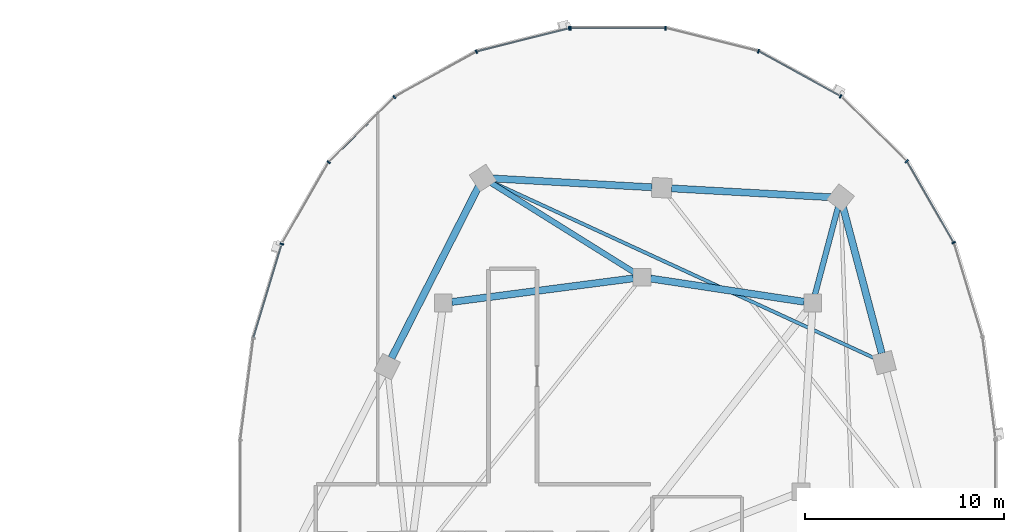
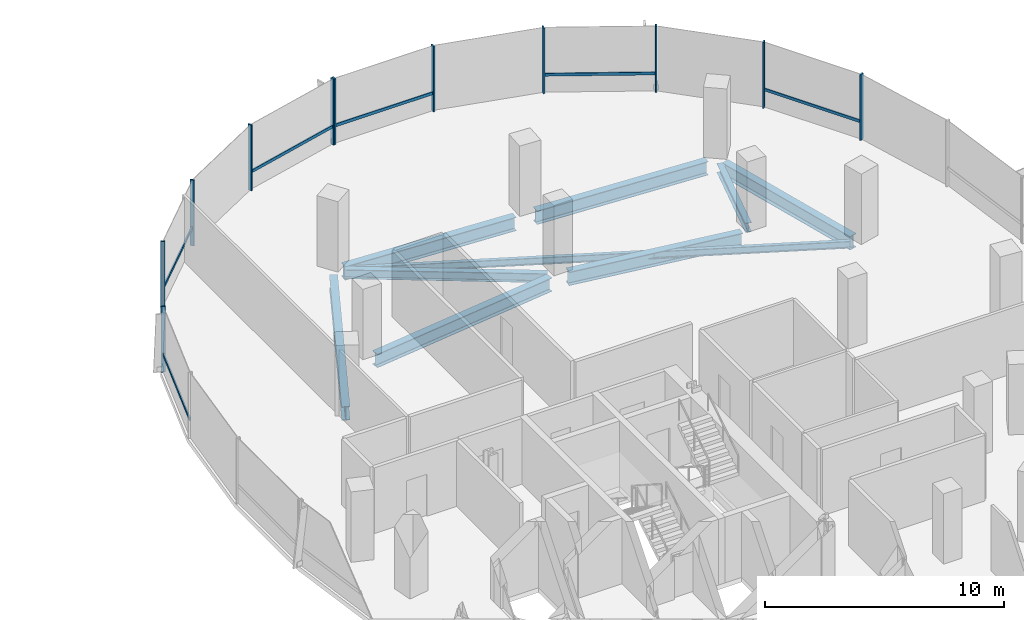
# One storey, part 9 of 22: 17 members, 9 beams, 2 elements without a shape of their own.
"""IFC4 building model written with IfcOpenShell, lengths in metres."""

from ifc_helpers import new_model, si_unit, direction, frame, origin, origin_2d, place, context, subcontext, project, spatial, rectangle, i_section, extrude, material, material_profile, profile_set, type_object, element, aggregate, save


model = new_model("IFC4")

# Units and contexts
model_context = context("Model", 3, precision=1e-05, world=origin(), true_north=direction((0.0, 1.0)))
body_context = subcontext(model_context, "Body", "Model", "MODEL_VIEW")
ifc_project = project(units=[si_unit("LENGTHUNIT", "METRE"), si_unit("AREAUNIT", "SQUARE_METRE"), si_unit("VOLUMEUNIT", "CUBIC_METRE"), si_unit("PLANEANGLEUNIT", "RADIAN"), si_unit("MASSUNIT", "GRAM", prefix="KILO"), si_unit("THERMODYNAMICTEMPERATUREUNIT", "KELVIN"), si_unit("POWERUNIT", "WATT")], contexts=[model_context])

# Site, building, storey
site_placement = place(None, origin())
site = spatial("IfcSite", under=ifc_project, at=site_placement, CompositionType="ELEMENT")
building_placement = place(site_placement, origin())
building = spatial("IfcBuilding", under=site, at=building_placement, Name="Cundina Bronze Exchange", CompositionType="ELEMENT")
storey_placement = place(building_placement, frame((0.0, 0.0, 144.0)))
storey = spatial("IfcBuildingStorey", under=building, at=storey_placement, Name="L37", CompositionType="ELEMENT", Elevation=144.0)

# Beams
ifc_material_1 = material(Name="Steel ASTM A992 Grade 50", Category="steel")
ifc_material_profile_1 = material_profile(ifc_material_1, i_section(OverallWidth=0.280029296875, OverallDepth=0.462890625, WebThickness=0.0107421875, FlangeThickness=0.017333984375, FilletRadius=0.011962890625, at=origin_2d()), Name="W18X76", Category="steel")
ifc_profile_set_1 = profile_set([ifc_material_profile_1], Name="Steel ASTM A992 Grade 50")
beam_type_1 = type_object("IfcBeamType", Name="BM-FLR-W18A", PredefinedType="BEAM", material=ifc_profile_set_1)
beam_1_placement = place(storey_placement, frame((41.911865234375, 9.923583984375, -0.471435546875), z_axis=(0.255413807463, 0.966831829719, 0.0), x_axis=(-0.966831829719, 0.255413807463, 0.0)))
element("IfcBeam", 1, at=beam_1_placement, inside=storey, type_object=beam_type_1, Name="L37 Leg E Chordal Floor Beam 10", PredefinedType="BEAM", context=body_context, shape_type="SweptSolid", body=[
    extrude(i_section(OverallWidth=0.280029296875, OverallDepth=0.462890625, WebThickness=0.0107421875, FlangeThickness=0.017333984375, FilletRadius=0.011962890625, at=origin_2d()), origin(), (0.0, 0.0, 1.0), 4.5556640625),
])
beam_2_placement = place(storey_placement, frame((32.82861328125, 11.031982421875, -0.471435546875), z_axis=(-0.847985407265, 0.530019574228, 0.0), x_axis=(-0.530019574228, -0.847985407265, 0.0)))
element("IfcBeam", 2, at=beam_2_placement, inside=storey, type_object=beam_type_1, Name="L37 Leg E Chordal Floor Beam 12", PredefinedType="BEAM", context=body_context, shape_type="SweptSolid", body=[
    extrude(i_section(OverallWidth=0.280029296875, OverallDepth=0.462890625, WebThickness=0.0107421875, FlangeThickness=0.017333984375, FilletRadius=0.011962890625, at=origin_2d()), origin(), (0.0, 0.0, 1.0), 8.50830078125),
])
ifc_material_profile_2 = material_profile(ifc_material_1, i_section(OverallWidth=0.172119140625, OverallDepth=0.35791015625, WebThickness=0.0078125, FlangeThickness=0.01318359375, FilletRadius=0.010009765625, at=origin_2d()), Name="W14X38", Category="steel")
ifc_profile_set_2 = profile_set([ifc_material_profile_2], Name="Steel ASTM A992 Grade 50")
beam_type_2 = type_object("IfcBeamType", Name="BM-JST-W14", PredefinedType="JOIST", material=ifc_profile_set_2)
beam_3_placement = place(storey_placement, frame((44.956787109375, 6.7041015625, -0.4189453125), z_axis=(-0.908353865734, 0.418202408655, 0.0), x_axis=(-0.418202408655, -0.908353865734, 0.0)))
element("IfcBeam", 3, at=beam_3_placement, inside=storey, type_object=beam_type_2, Name="L37 Leg E Lobe Floor Joist 09-12", PredefinedType="JOIST", context=body_context, shape_type="SweptSolid", body=[
    extrude(i_section(OverallWidth=0.172119140625, OverallDepth=0.35791015625, WebThickness=0.0078125, FlangeThickness=0.01318359375, FilletRadius=0.010009765625, at=origin_2d()), origin(), (0.0, 0.0, 1.0), 21.261962890625),
])
ifc_material_profile_3 = material_profile(ifc_material_1, i_section(OverallWidth=0.35498046875, OverallDepth=0.695068359375, WebThickness=0.015380859375, FlangeThickness=0.02490234375, FilletRadius=0.01806640625, at=origin_2d()), Name="W27X146", Category="steel")
ifc_profile_set_3 = profile_set([ifc_material_profile_3], Name="Steel ASTM A992 Grade 50")
beam_type_3 = type_object("IfcBeamType", Name="BM-RING-W27", PredefinedType="USERDEFINED", material=ifc_profile_set_3)
beam_4_placement = place(storey_placement, frame((41.366943359375, 9.5654296875, -0.58740234375), z_axis=(-0.988764903598, 0.149478979839, 0.0), x_axis=(-0.149478979839, -0.988764903598, 0.0)))
element("IfcBeam", 4, at=beam_4_placement, inside=storey, type_object=beam_type_3, Name="L37 E Inner Structural Ring Girder 05", ObjectType="GIRDER", PredefinedType="USERDEFINED", context=body_context, shape_type="SweptSolid", body=[
    extrude(i_section(OverallWidth=0.35498046875, OverallDepth=0.695068359375, WebThickness=0.015380859375, FlangeThickness=0.02490234375, FilletRadius=0.01806640625, at=origin_2d()), origin(), (0.0, 0.0, 1.0), 7.82177734375),
])
beam_5_placement = place(storey_placement, frame((32.765625, 10.743408203125, -0.58740234375), z_axis=(-0.991656498582, -0.128908451316, 0.0), x_axis=(0.128908451316, -0.991656498582, 0.0)))
element("IfcBeam", 5, at=beam_5_placement, inside=storey, type_object=beam_type_3, Name="L37 E Inner Structural Ring Girder 06", ObjectType="GIRDER", PredefinedType="USERDEFINED", context=body_context, shape_type="SweptSolid", body=[
    extrude(i_section(OverallWidth=0.35498046875, OverallDepth=0.695068359375, WebThickness=0.015380859375, FlangeThickness=0.02490234375, FilletRadius=0.01806640625, at=origin_2d()), origin(), (0.0, 0.0, 1.0), 9.208251953125),
])
beam_6_placement = place(storey_placement, frame((45.27490234375, 6.9716796875, -0.58740234375), z_axis=(-0.256210841755, 0.96662092082, 0.0), x_axis=(-0.96662092082, -0.256210841755, 0.0)))
element("IfcBeam", 6, at=beam_6_placement, inside=storey, type_object=beam_type_3, Name="L37 E Perimeter Ring Girder 09", ObjectType="GIRDER", PredefinedType="USERDEFINED", context=body_context, shape_type="SweptSolid", body=[
    extrude(i_section(OverallWidth=0.35498046875, OverallDepth=0.695068359375, WebThickness=0.015380859375, FlangeThickness=0.02490234375, FilletRadius=0.01806640625, at=origin_2d()), origin(), (0.0, 0.0, 1.0), 7.61083984375),
])
for number, where, z_axis, x_axis, name in (
    (7, (42.712890625, 14.8271484375, -0.58740234375), (-0.998460820451, 0.055461608559, 0.0), (-0.055461608559, -0.998460820451, 0.0), "L37 E Perimeter Ring Girder 10"),
    (8, (33.712890625, 15.3271484375, -0.58740234375), (-0.998460820451, 0.055461608559, 0.0), (-0.055461608559, -0.998460820451, 0.0), "L37 E Perimeter Ring Girder 11"),
):
    element("IfcBeam", number, at=place(storey_placement, frame(where, z_axis=z_axis, x_axis=x_axis)), inside=storey, type_object=beam_type_3, Name=name, ObjectType="GIRDER", PredefinedType="USERDEFINED", context=body_context, shape_type="SweptSolid", body=[
        extrude(i_section(OverallWidth=0.35498046875, OverallDepth=0.695068359375, WebThickness=0.015380859375, FlangeThickness=0.02490234375, FilletRadius=0.01806640625, at=origin_2d()), origin(), (0.0, 0.0, 1.0), 8.0380859375),
    ])
beam_7_placement = place(storey_placement, frame((24.97900390625, 15.364990234375, -0.58740234375), z_axis=(-0.452834585354, -0.891594548159, 0.0), x_axis=(0.891594548159, -0.452834585354, 0.0)))
element("IfcBeam", 9, at=beam_7_placement, inside=storey, type_object=beam_type_3, Name="L37 E Perimeter Ring Girder 12", ObjectType="GIRDER", PredefinedType="USERDEFINED", context=body_context, shape_type="SweptSolid", body=[
    extrude(i_section(OverallWidth=0.35498046875, OverallDepth=0.695068359375, WebThickness=0.015380859375, FlangeThickness=0.02490234375, FilletRadius=0.01806640625, at=origin_2d()), origin(), (0.0, 0.0, 1.0), 9.67919921875),
])

# Curtain wall, members
ifc_material_2 = material(Name="Anodised Bronze Aluminium 6063-T6", Category="aluminium")
curtain_wall_type = type_object("IfcCurtainWallType", Name="CWS-WST-PIN", PredefinedType="NOTDEFINED", material=ifc_material_2)
curtain_wall_1_placement = place(storey_placement, origin())
curtain_wall_1 = element("IfcCurtainWall", 10, at=curtain_wall_1_placement, inside=storey, type_object=curtain_wall_type, Name="L37 CW-04 Curtain Wall Run CWR-L37-E1", PredefinedType="NOTDEFINED")
ifc_material_profile_4 = material_profile(ifc_material_2, rectangle(XDim=0.070068359375, YDim=0.18994140625, at=origin_2d()), Name="AL70X190", Category="aluminium")
ifc_profile_set_4 = profile_set([ifc_material_profile_4], Name="Anodised Bronze Aluminium 6063-T6")
member_type_1 = type_object("IfcMemberType", Name="CWM-MUL-190", PredefinedType="MULLION", material=ifc_profile_set_4)
member_1_placement = place(storey_placement, frame((48.89794921875, 12.541259765625, 0.0), z_axis=(0.0, 0.0, 1.0), x_axis=(-0.498487739754, 0.866896748936, 0.0)))
member_1 = element("IfcMember", 11, at=member_1_placement, type_object=member_type_1, Name="CW-04 Mullion 3", PredefinedType="MULLION", context=body_context, shape_type="SweptSolid", body=[
    extrude(rectangle(XDim=0.070068359375, YDim=0.18994140625, at=origin_2d()), origin(), (0.0, 0.0, 1.0), 3.360107421875),
])
member_2_placement = place(storey_placement, frame((46.530517578125, 16.640380859375, 0.0), z_axis=(0.0, 0.0, 1.0), x_axis=(-0.712026045991, 0.702153052995, 0.0)))
member_2 = element("IfcMember", 12, at=member_2_placement, type_object=member_type_1, Name="CW-04 Mullion 4", PredefinedType="MULLION", context=body_context, shape_type="SweptSolid", body=[
    extrude(rectangle(XDim=0.070068359375, YDim=0.18994140625, at=origin_2d()), origin(), (0.0, 0.0, 1.0), 3.360107421875),
])
member_3_placement = place(storey_placement, frame((43.20654296875, 19.906005859375, 0.0), z_axis=(0.0, 0.0, 1.0), x_axis=(-0.875885937035, 0.482518212408, 0.0)))
member_3 = element("IfcMember", 13, at=member_3_placement, type_object=member_type_1, Name="CW-04 Mullion 5", PredefinedType="MULLION", context=body_context, shape_type="SweptSolid", body=[
    extrude(rectangle(XDim=0.070068359375, YDim=0.18994140625, at=origin_2d()), origin(), (0.0, 0.0, 1.0), 3.360107421875),
])
member_4_placement = place(storey_placement, frame((39.067626953125, 22.17626953125, 0.0), z_axis=(0.0, 0.0, 1.0), x_axis=(-0.970084240161, 0.242768546132, 0.0)))
member_4 = element("IfcMember", 14, at=member_4_placement, type_object=member_type_1, Name="CW-04 Mullion 6", PredefinedType="MULLION", context=body_context, shape_type="SweptSolid", body=[
    extrude(rectangle(XDim=0.070068359375, YDim=0.18994140625, at=origin_2d()), origin(), (0.0, 0.0, 1.0), 3.360107421875),
])
member_5_placement = place(storey_placement, frame((34.39404296875, 23.3369140625, 0.0), z_axis=(0.0, 0.0, 1.0), x_axis=(-1.0, 0.0, 0.0)))
member_5 = element("IfcMember", 15, at=member_5_placement, type_object=member_type_1, Name="CW-04 Mullion 7", PredefinedType="MULLION", context=body_context, shape_type="SweptSolid", body=[
    extrude(rectangle(XDim=0.070068359375, YDim=0.18994140625, at=origin_2d()), origin(), (0.0, 0.0, 1.0), 3.360107421875),
])
member_6_placement = place(storey_placement, frame((29.60595703125, 23.3369140625, 0.0), z_axis=(0.0, 0.0, 1.0), x_axis=(-1.0, 0.0, 0.0)))
member_6 = element("IfcMember", 16, at=member_6_placement, type_object=member_type_1, Name="CW-04 End Mullion", PredefinedType="MULLION", context=body_context, shape_type="SweptSolid", body=[
    extrude(rectangle(XDim=0.070068359375, YDim=0.18994140625, at=origin_2d()), origin(), (0.0, 0.0, 1.0), 3.360107421875),
])

curtain_wall_2_placement = place(storey_placement, origin())
curtain_wall_2 = element("IfcCurtainWall", 17, at=curtain_wall_2_placement, inside=storey, type_object=curtain_wall_type, Name="L37 CW-04 Curtain Wall Run CWR-L37-E2", PredefinedType="NOTDEFINED")
member_7_placement = place(storey_placement, frame((29.537353515625, 23.32861328125, 0.0), z_axis=(0.0, 0.0, 1.0), x_axis=(-0.970084240161, -0.242768546132, 0.0)))
member_7 = element("IfcMember", 18, at=member_7_placement, type_object=member_type_1, Name="CW-04 Mullion 1", PredefinedType="MULLION", context=body_context, shape_type="SweptSolid", body=[
    extrude(rectangle(XDim=0.070068359375, YDim=0.18994140625, at=origin_2d()), origin(), (0.0, 0.0, 1.0), 3.360107421875),
])
member_8_placement = place(storey_placement, frame((24.86962890625, 22.151611328125, 0.0), z_axis=(0.0, 0.0, 1.0), x_axis=(-0.875885937035, -0.482518212408, 0.0)))
member_8 = element("IfcMember", 19, at=member_8_placement, type_object=member_type_1, Name="CW-04 Mullion 2", PredefinedType="MULLION", context=body_context, shape_type="SweptSolid", body=[
    extrude(rectangle(XDim=0.070068359375, YDim=0.18994140625, at=origin_2d()), origin(), (0.0, 0.0, 1.0), 3.360107421875),
])
member_9_placement = place(storey_placement, frame((20.740966796875, 19.86669921875, 0.0), z_axis=(0.0, 0.0, 1.0), x_axis=(-0.712026045991, -0.702153052995, 0.0)))
member_9 = element("IfcMember", 20, at=member_9_placement, type_object=member_type_1, Name="CW-04 Mullion 3", PredefinedType="MULLION", context=body_context, shape_type="SweptSolid", body=[
    extrude(rectangle(XDim=0.070068359375, YDim=0.18994140625, at=origin_2d()), origin(), (0.0, 0.0, 1.0), 3.360107421875),
])
member_10_placement = place(storey_placement, frame((17.42919921875, 16.588134765625, 0.0), z_axis=(0.0, 0.0, 1.0), x_axis=(-0.498487739754, -0.866896748936, 0.0)))
member_10 = element("IfcMember", 21, at=member_10_placement, type_object=member_type_1, Name="CW-04 Mullion 4", PredefinedType="MULLION", context=body_context, shape_type="SweptSolid", body=[
    extrude(rectangle(XDim=0.070068359375, YDim=0.18994140625, at=origin_2d()), origin(), (0.0, 0.0, 1.0), 3.360107421875),
])
member_11_placement = place(storey_placement, frame((15.07373046875, 12.4755859375, 0.0), z_axis=(0.0, 0.0, 1.0), x_axis=(-0.290034140915, -0.957016299288, 0.0)))
member_11 = element("IfcMember", 22, at=member_11_placement, type_object=member_type_1, Name="CW-04 Mullion 5", PredefinedType="MULLION", context=body_context, shape_type="SweptSolid", body=[
    extrude(rectangle(XDim=0.070068359375, YDim=0.18994140625, at=origin_2d()), origin(), (0.0, 0.0, 1.0), 3.360107421875),
])

# Member
ifc_material_profile_5 = material_profile(ifc_material_2, rectangle(XDim=0.06494140625, YDim=0.14990234375, at=origin_2d()), Name="AL65X150", Category="aluminium")
ifc_profile_set_5 = profile_set([ifc_material_profile_5], Name="Anodised Bronze Aluminium 6063-T6")
member_type_2 = type_object("IfcMemberType", Name="CWM-TRN-150", PredefinedType="USERDEFINED", material=ifc_profile_set_5)
member_12_placement = place(storey_placement, frame((48.878662109375, 12.574462890625, 0.919921875), z_axis=(-0.498479967047, 0.866901218394, 0.0), x_axis=(-0.866901218394, -0.498479967047, 0.0)))
member_12 = element("IfcMember", 23, at=member_12_placement, type_object=member_type_2, Name="CW-04 Spandrel Transom 3", ObjectType="TRANSOM", PredefinedType="USERDEFINED", context=body_context, shape_type="SweptSolid", body=[
    extrude(rectangle(XDim=0.06494140625, YDim=0.14990234375, at=origin_2d()), origin(), (0.0, 0.0, 1.0), 4.66845703125),
])

member_13_placement = place(storey_placement, frame((43.1728515625, 19.924560546875, 0.919921875), z_axis=(-0.875878981549, 0.482530838062, 0.0), x_axis=(-0.482530838062, -0.875878981549, 0.0)))
member_13 = element("IfcMember", 24, at=member_13_placement, type_object=member_type_2, Name="CW-04 Spandrel Transom 5", ObjectType="TRANSOM", PredefinedType="USERDEFINED", context=body_context, shape_type="SweptSolid", body=[
    extrude(rectangle(XDim=0.06494140625, YDim=0.14990234375, at=origin_2d()), origin(), (0.0, 0.0, 1.0), 4.65380859375),
])

member_14_placement = place(storey_placement, frame((34.35546875, 23.3369140625, 0.919921875), z_axis=(-1.0, 0.0, 0.0), x_axis=(0.0, -1.0, 0.0)))
member_14 = element("IfcMember", 25, at=member_14_placement, type_object=member_type_2, Name="CW-04 Spandrel Transom 7", ObjectType="TRANSOM", PredefinedType="USERDEFINED", context=body_context, shape_type="SweptSolid", body=[
    extrude(rectangle(XDim=0.06494140625, YDim=0.14990234375, at=origin_2d()), origin(), (0.0, 0.0, 1.0), 4.7109375),
])

aggregate(curtain_wall_1, [member_1, member_12, member_2, member_3, member_13, member_4, member_5, member_6, member_14])

member_15_placement = place(storey_placement, frame((29.5, 23.319091796875, 0.919921875), z_axis=(-0.970100130035, -0.242705042606, 0.0), x_axis=(0.242705042606, -0.970100130035, 0.0)))
member_15 = element("IfcMember", 26, at=member_15_placement, type_object=member_type_2, Name="CW-04 Spandrel Transom 1", ObjectType="TRANSOM", PredefinedType="USERDEFINED", context=body_context, shape_type="SweptSolid", body=[
    extrude(rectangle(XDim=0.06494140625, YDim=0.14990234375, at=origin_2d()), origin(), (0.0, 0.0, 1.0), 4.746826171875),
])

member_16_placement = place(storey_placement, frame((20.71337890625, 19.839599609375, 0.919921875), z_axis=(-0.712005023839, -0.702174370102, 0.0), x_axis=(0.702174370102, -0.712005023839, 0.0)))
member_16 = element("IfcMember", 27, at=member_16_placement, type_object=member_type_2, Name="CW-04 Spandrel Transom 3", ObjectType="TRANSOM", PredefinedType="USERDEFINED", context=body_context, shape_type="SweptSolid", body=[
    extrude(rectangle(XDim=0.06494140625, YDim=0.14990234375, at=origin_2d()), origin(), (0.0, 0.0, 1.0), 4.594482421875),
])

member_17_placement = place(storey_placement, frame((15.062744140625, 12.43896484375, 0.919921875), z_axis=(-0.290051855969, -0.957010930371, 0.0), x_axis=(0.957010930371, -0.290051855969, 0.0)))
member_17 = element("IfcMember", 28, at=member_17_placement, type_object=member_type_2, Name="CW-04 Spandrel Transom 5", ObjectType="TRANSOM", PredefinedType="USERDEFINED", context=body_context, shape_type="SweptSolid", body=[
    extrude(rectangle(XDim=0.06494140625, YDim=0.14990234375, at=origin_2d()), origin(), (0.0, 0.0, 1.0), 4.876953125),
])

aggregate(curtain_wall_2, [member_7, member_15, member_8, member_9, member_16, member_10, member_11, member_17])

save(model, "model.ifc")
